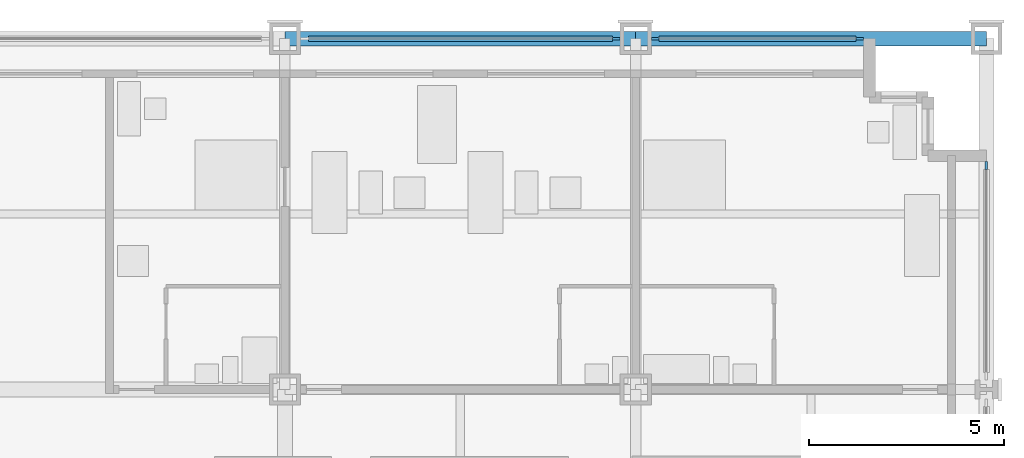
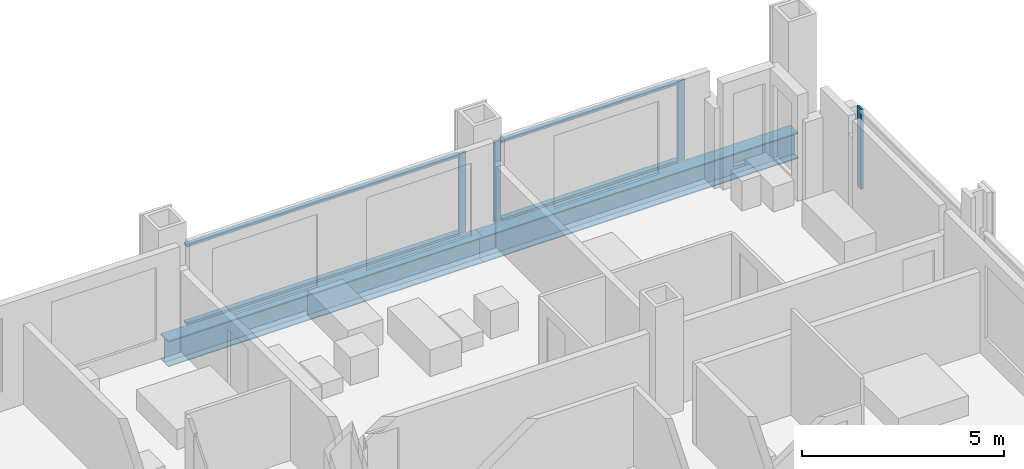
# One storey, part 8 of 18: 8 members, 2 beams, 3 elements without a shape of their own.
"""IFC4 building model written with IfcOpenShell, lengths in metres."""

from ifc_helpers import new_model, si_unit, direction, frame, origin, origin_2d, place, context, subcontext, project, spatial, rectangle, i_section, extrude, material, material_profile, profile_set, type_object, element, aggregate, save


model = new_model("IFC4")

# Units and contexts
model_context = context("Model", 3, precision=1e-05, world=origin(), true_north=direction((0.0, 1.0)))
body_context = subcontext(model_context, "Body", "Model", "MODEL_VIEW")
ifc_project = project(units=[si_unit("LENGTHUNIT", "METRE"), si_unit("AREAUNIT", "SQUARE_METRE"), si_unit("VOLUMEUNIT", "CUBIC_METRE"), si_unit("PLANEANGLEUNIT", "RADIAN"), si_unit("MASSUNIT", "GRAM", prefix="KILO")], contexts=[model_context])

# Site, building, storey
site_placement = place(None, origin())
site = spatial("IfcSite", under=ifc_project, at=site_placement, CompositionType="ELEMENT")
building_placement = place(site_placement, origin())
building = spatial("IfcBuilding", under=site, at=building_placement, Name="Loomwork Tower", CompositionType="ELEMENT")
storey_placement = place(building_placement, frame((0.0, 0.0, 48.39990234375)))
storey = spatial("IfcBuildingStorey", under=building, at=storey_placement, Name="L11", CompositionType="ELEMENT", Elevation=48.39990234375)

# Curtain wall, member
ifc_material_1 = material(Name="Aluminium curtain wall frame", Category="aluminium")
curtain_wall_type = type_object("IfcCurtainWallType", Name="Outer skin glazing hotel", PredefinedType="NOTDEFINED", material=ifc_material_1)
curtain_wall_1_placement = place(storey_placement, origin())
curtain_wall_1 = element("IfcCurtainWall", 1, at=curtain_wall_1_placement, inside=storey, type_object=curtain_wall_type, Name="Outer skin glazing hotel cw/N-36", PredefinedType="NOTDEFINED")
ifc_material_2 = material(Name="Aluminium curtain wall frame", Category="aluminium")
ifc_material_profile_1 = material_profile(ifc_material_2, rectangle(XDim=0.06494140625, YDim=0.199951171875, at=origin_2d()), Name="AL 65x200")
ifc_profile_set_1 = profile_set([ifc_material_profile_1], Name="Aluminium curtain wall frame")
member_type_1 = type_object("IfcMemberType", Name="Outer skin glazing hotel mullion", PredefinedType="MULLION", material=ifc_profile_set_1)
member_1_placement = place(storey_placement, frame((44.5, 36.0, 0.0), z_axis=(0.0, 0.0, 1.0), x_axis=(0.0, -1.0, 0.0)))
member_1 = element("IfcMember", 2, at=member_1_placement, type_object=member_type_1, Name="CW1 mullion 1", PredefinedType="MULLION", context=body_context, shape_type="SweptSolid", body=[
    extrude(rectangle(XDim=0.06494140625, YDim=0.199951171875, at=origin_2d()), origin(), (0.0, 0.0, 1.0), 2.42041015625),
])

# Curtain wall, members
curtain_wall_2_placement = place(storey_placement, origin())
curtain_wall_2 = element("IfcCurtainWall", 3, at=curtain_wall_2_placement, inside=storey, type_object=curtain_wall_type, Name="Outer skin glazing hotel cw/N-45", PredefinedType="NOTDEFINED")
member_2_placement = place(storey_placement, frame((50.75, 36.0, 0.0), z_axis=(0.0, 0.0, 1.0), x_axis=(0.0, -1.0, 0.0)))
member_2 = element("IfcMember", 4, at=member_2_placement, type_object=member_type_1, Name="CW1 mullion 1", PredefinedType="MULLION", context=body_context, shape_type="SweptSolid", body=[
    extrude(rectangle(XDim=0.06494140625, YDim=0.199951171875, at=origin_2d()), origin(), (0.0, 0.0, 1.0), 2.42041015625),
])
member_3_placement = place(storey_placement, frame((45.5, 36.0, 0.0), z_axis=(0.0, 0.0, 1.0), x_axis=(0.0, -1.0, 0.0)))
member_3 = element("IfcMember", 5, at=member_3_placement, type_object=member_type_1, Name="CW1 mullion 2", PredefinedType="MULLION", context=body_context, shape_type="SweptSolid", body=[
    extrude(rectangle(XDim=0.06494140625, YDim=0.199951171875, at=origin_2d()), origin(), (0.0, 0.0, 1.0), 2.42041015625),
])

# Curtain wall, member
curtain_wall_3_placement = place(storey_placement, origin())
curtain_wall_3 = element("IfcCurtainWall", 6, at=curtain_wall_3_placement, inside=storey, type_object=curtain_wall_type, Name="Outer skin glazing hotel cw/E-27", PredefinedType="NOTDEFINED")
member_4_placement = place(storey_placement, frame((54.0, 32.75, 0.0), z_axis=(0.0, 0.0, 1.0), x_axis=(-1.0, 0.0, 0.0)))
member_4 = element("IfcMember", 7, at=member_4_placement, type_object=member_type_1, Name="CW1 mullion 2", PredefinedType="MULLION", context=body_context, shape_type="SweptSolid", body=[
    extrude(rectangle(XDim=0.06494140625, YDim=0.199951171875, at=origin_2d()), origin(), (0.0, 0.0, 1.0), 2.42041015625),
])
aggregate(curtain_wall_3, [member_4])

# Member
ifc_material_3 = material(Name="Aluminium curtain wall frame", Category="aluminium")
ifc_material_profile_2 = material_profile(ifc_material_3, rectangle(XDim=0.14990234375, YDim=0.06494140625, at=origin_2d()), Name="AL 65x150")
ifc_profile_set_2 = profile_set([ifc_material_profile_2], Name="Aluminium curtain wall frame")
member_type_2 = type_object("IfcMemberType", Name="Outer skin glazing hotel transom", PredefinedType="USERDEFINED", material=ifc_profile_set_2)
member_5_placement = place(storey_placement, frame((44.39990234375, 36.0, 0.03271484375), z_axis=(-1.0, 0.0, 0.0), x_axis=(0.0, -1.0, 0.0)))
member_5 = element("IfcMember", 8, at=member_5_placement, type_object=member_type_2, Name="CW1 transom 1.1", ObjectType="TRANSOM", PredefinedType="USERDEFINED", context=body_context, shape_type="SweptSolid", body=[
    extrude(rectangle(XDim=0.14990234375, YDim=0.06494140625, at=origin_2d()), origin(), (0.0, 0.0, 1.0), 7.7998046875),
])

member_6_placement = place(storey_placement, frame((44.39990234375, 36.0, 2.3876953125), z_axis=(-1.0, 0.0, 0.0), x_axis=(0.0, -1.0, 0.0)))
member_6 = element("IfcMember", 9, at=member_6_placement, type_object=member_type_2, Name="CW1 transom 1.2", ObjectType="TRANSOM", PredefinedType="USERDEFINED", context=body_context, shape_type="SweptSolid", body=[
    extrude(rectangle(XDim=0.14990234375, YDim=0.06494140625, at=origin_2d()), origin(), (0.0, 0.0, 1.0), 7.7998046875),
])

aggregate(curtain_wall_1, [member_1, member_5, member_6])

member_7_placement = place(storey_placement, frame((50.64990234375, 36.0, 0.03271484375), z_axis=(-1.0, 0.0, 0.0), x_axis=(0.0, -1.0, 0.0)))
member_7 = element("IfcMember", 10, at=member_7_placement, type_object=member_type_2, Name="CW1 transom 1.1", ObjectType="TRANSOM", PredefinedType="USERDEFINED", context=body_context, shape_type="SweptSolid", body=[
    extrude(rectangle(XDim=0.14990234375, YDim=0.06494140625, at=origin_2d()), origin(), (0.0, 0.0, 1.0), 5.0498046875),
])

member_8_placement = place(storey_placement, frame((50.64990234375, 36.0, 2.3876953125), z_axis=(-1.0, 0.0, 0.0), x_axis=(0.0, -1.0, 0.0)))
member_8 = element("IfcMember", 11, at=member_8_placement, type_object=member_type_2, Name="CW1 transom 1.2", ObjectType="TRANSOM", PredefinedType="USERDEFINED", context=body_context, shape_type="SweptSolid", body=[
    extrude(rectangle(XDim=0.14990234375, YDim=0.06494140625, at=origin_2d()), origin(), (0.0, 0.0, 1.0), 5.0498046875),
])

aggregate(curtain_wall_2, [member_2, member_3, member_7, member_8])

# Beams
ifc_material_4 = material(Name="Steel ASTM A992", Category="steel")
ifc_material_profile_3 = material_profile(ifc_material_4, i_section(OverallWidth=0.381103515625, OverallDepth=0.77978515625, WebThickness=0.01806640625, FlangeThickness=0.0302734375, at=origin_2d()), Name="W30x191")
ifc_profile_set_3 = profile_set([ifc_material_profile_3], Name="Steel ASTM A992")
beam_type = type_object("IfcBeamType", Name="SPANDREL GIRDER W30x191", PredefinedType="SPANDREL", material=ifc_profile_set_3)
for number, where, z_axis, x_axis, name in (
    (12, (36.0, 36.0, -0.58984375), (1.0, 0.0, 0.0), (0.0, 1.0, 0.0), "Spandrel Girder H/6-H/7 L11"),
    (13, (45.0, 36.0, -0.58984375), (1.0, 0.0, 0.0), (0.0, 1.0, 0.0), "Spandrel Girder H/7-H/8 L11"),
):
    element("IfcBeam", number, at=place(storey_placement, frame(where, z_axis=z_axis, x_axis=x_axis)), inside=storey, type_object=beam_type, Name=name, PredefinedType="SPANDREL", context=body_context, shape_type="SweptSolid", body=[
        extrude(i_section(OverallWidth=0.381103515625, OverallDepth=0.77978515625, WebThickness=0.01806640625, FlangeThickness=0.0302734375, at=origin_2d()), origin(), (0.0, 0.0, 1.0), 9.0),
    ])

save(model, "model.ifc")
